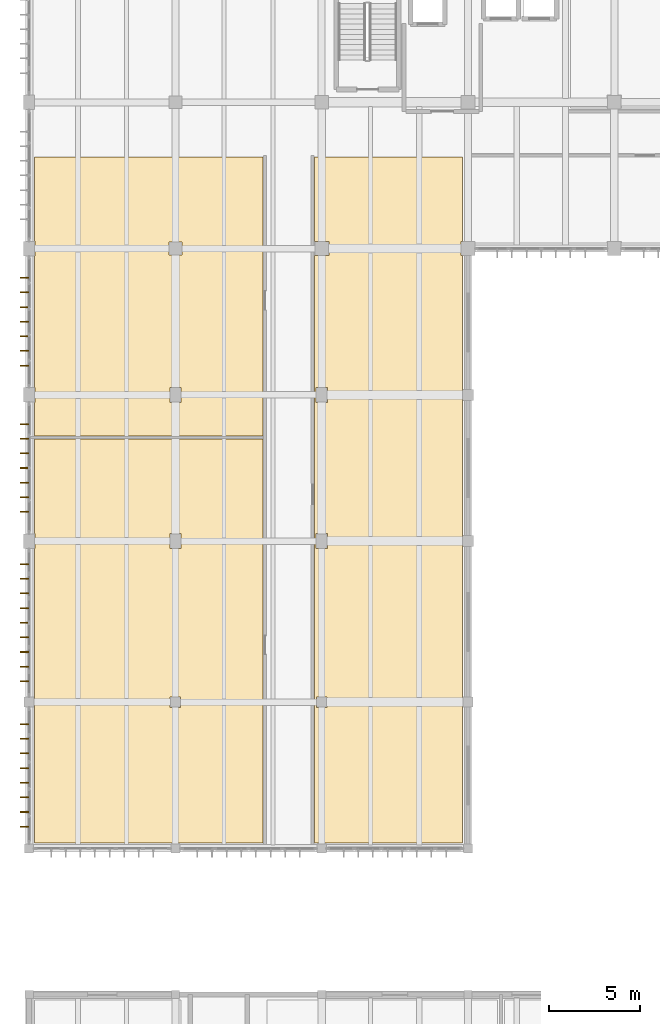
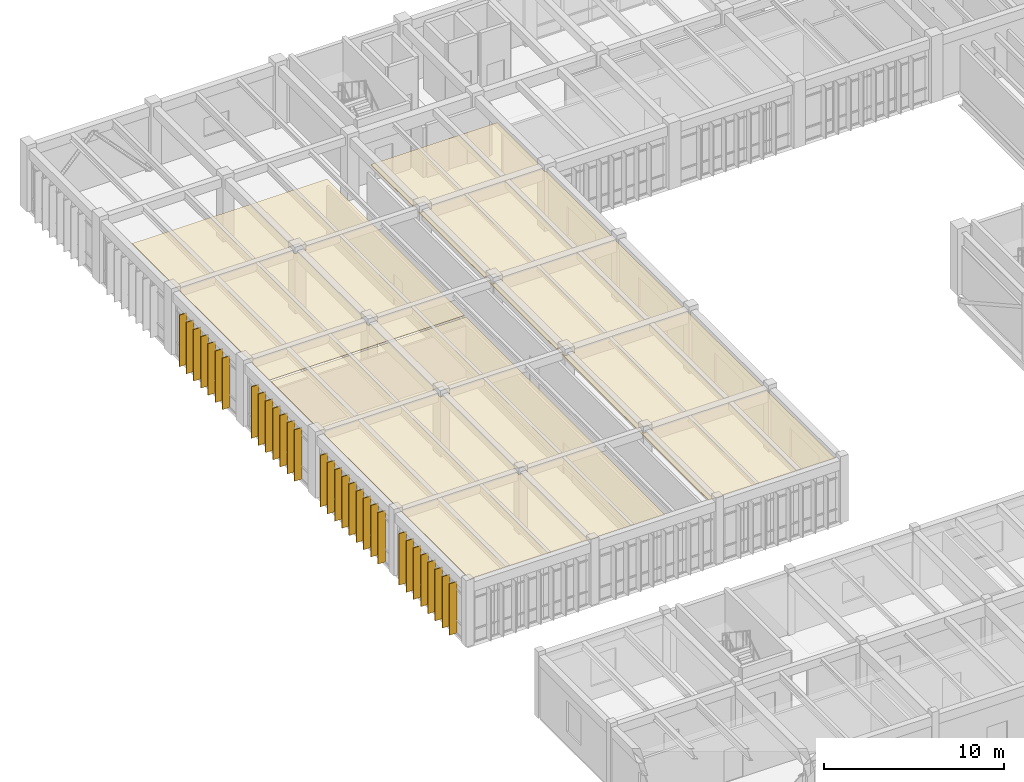
# One storey, part 67 of 79: 31 shading devices, 3 coverings.
"""IFC4 building model written with IfcOpenShell, lengths in metres."""

import ifcopenshell
import ifcopenshell.guid

model = None  # the IFC model being written
_history = None  # IfcOwnerHistory: only IFC2X3 demands one
_inside = {}  # id of a spatial element -> (the spatial element, [elements in it])
_under = {}  # id of a project, library or spatial element -> (it, [spatial elements below it])
_declared = {}  # id of a project -> (the project, [libraries it declares])
_typed = {}  # id of a type object -> (the type object, [elements of that type])
_made_of = {}  # id of a material, layer set ... -> (it, [elements and type objects made of it])


def new_model(schema):
    """Start an empty IFC model of exactly this schema.

    Asked for "IFC4X3", IfcOpenShell would pick the latest addendum, in which some entities
    have other attributes; the version numbers below select the first issue.
    IFC2X3 requires an IfcOwnerHistory on every rooted entity: one is made here for all.
    """
    global model, _history
    if schema == "IFC4X3":
        model = ifcopenshell.file(schema_version=(4, 3, 0, 0))
    else:
        model = ifcopenshell.file(schema=schema)
    _inside.clear()
    _under.clear()
    _declared.clear()
    _typed.clear()
    _made_of.clear()
    _history = None
    if model.schema == "IFC2X3":
        org = make("IfcOrganization", Name="unknown")
        user = make(
            "IfcPersonAndOrganization",
            ThePerson=make("IfcPerson", FamilyName="unknown"),
            TheOrganization=org,
        )
        app = make(
            "IfcApplication",
            ApplicationDeveloper=org,
            Version="unknown",
            ApplicationFullName="unknown",
            ApplicationIdentifier="unknown",
        )
        _history = make(
            "IfcOwnerHistory",
            OwningUser=user,
            OwningApplication=app,
            ChangeAction="ADDED",
            CreationDate=0,
        )
    return model


def make(cls, **values):
    """One entity of the class cls with the attributes given. An attribute that is None is left unset."""
    return model.create_entity(
        cls, **{name: value for name, value in values.items() if value is not None}
    )


def rooted(cls, **values):
    """An entity with a GlobalId (a new one), such as an element, a storey or a relation."""
    return make(cls, GlobalId=ifcopenshell.guid.new(), OwnerHistory=_history, **values)


def si_unit(unit_type, name, prefix=None):
    """IfcSIUnit, for example si_unit("LENGTHUNIT", "METRE", prefix="MILLI")."""
    return make("IfcSIUnit", UnitType=unit_type, Prefix=prefix, Name=name)


def assignment(units):
    """IfcUnitAssignment: the units of a project."""
    return None if units is None else make("IfcUnitAssignment", Units=units)


def point(xyz):
    """IfcCartesianPoint."""
    return None if xyz is None else make("IfcCartesianPoint", Coordinates=xyz)


def direction(xyz):
    """IfcDirection."""
    return None if xyz is None else make("IfcDirection", DirectionRatios=xyz)


def frame(location, z_axis=None, x_axis=None):
    """IfcAxis2Placement3D, a coordinate frame: its origin and axes. An axis left out is left unset."""
    return make(
        "IfcAxis2Placement3D",
        Location=point(location),
        Axis=direction(z_axis),
        RefDirection=direction(x_axis),
    )


def frame_2d(location, x_axis=None):
    """IfcAxis2Placement2D, a coordinate frame in the plane: its origin and x axis."""
    return make(
        "IfcAxis2Placement2D", Location=point(location), RefDirection=direction(x_axis)
    )


def origin():
    """The frame at (0, 0, 0) with its axes left unset."""
    return frame((0.0, 0.0, 0.0))


def origin_2d():
    """The frame at (0, 0) in the plane with its x axis left unset."""
    return frame_2d((0.0, 0.0))


def place(relative_to, where):
    """IfcLocalPlacement: puts the frame where relative to a parent placement (None: the world)."""
    return make(
        "IfcLocalPlacement", PlacementRelTo=relative_to, RelativePlacement=where
    )


def context(
    kind, dimensions, precision=None, world=None, true_north=None, identifier=None
):
    """IfcGeometricRepresentationContext, for example the 3D "Model" context."""
    return make(
        "IfcGeometricRepresentationContext",
        ContextIdentifier=identifier,
        ContextType=kind,
        CoordinateSpaceDimension=dimensions,
        Precision=precision,
        WorldCoordinateSystem=world,
        TrueNorth=true_north,
    )


def subcontext(parent, identifier, kind, view, scale=None):
    """IfcGeometricRepresentationSubContext, for example "Body" below "Model"."""
    return make(
        "IfcGeometricRepresentationSubContext",
        ContextIdentifier=identifier,
        ContextType=kind,
        ParentContext=parent,
        TargetScale=scale,
        TargetView=view,
    )


def project(units=None, contexts=None):
    """IfcProject with its units and contexts."""
    return rooted(
        "IfcProject",
        Name="project",
        RepresentationContexts=contexts,
        UnitsInContext=assignment(units),
    )


def spatial(cls, under=None, at=None, **own):
    """A site, building, storey or space (cls), placed at a placement, below another one or the project."""
    s = rooted(cls, ObjectPlacement=at, **own)
    if under is not None:
        _under.setdefault(under.id(), (under, []))[1].append(s)
    return s


def polyline(points):
    """IfcPolyline through the points."""
    return make("IfcPolyline", Points=[point(p) for p in points])


def profile(cls, at=None, kind="AREA", **sizes):
    """A parametric profile (cls). Its sizes go by their IFC names, for example OverallWidth=200.0."""
    return make(cls, ProfileType=kind, Position=at, **sizes)


def rectangle(**sizes):
    """IfcRectangleProfileDef."""
    return profile("IfcRectangleProfileDef", **sizes)


def outline(outer, holes=None, kind="AREA"):
    """IfcArbitraryClosedProfileDef: a profile drawn as a closed curve; with holes, ...WithVoids."""
    if holes is None:
        return make("IfcArbitraryClosedProfileDef", ProfileType=kind, OuterCurve=outer)
    return make(
        "IfcArbitraryProfileDefWithVoids",
        ProfileType=kind,
        OuterCurve=outer,
        InnerCurves=holes,
    )


def extrude(swept, where, along, depth):
    """IfcExtrudedAreaSolid: the profile swept, set in the frame where, extruded along a direction by depth."""
    return make(
        "IfcExtrudedAreaSolid",
        SweptArea=swept,
        Position=where,
        ExtrudedDirection=direction(along),
        Depth=depth,
    )


def shape(context_of_items, identifier, shape_type, items):
    """IfcShapeRepresentation: the items that make up one representation, for example the "Body"."""
    return make(
        "IfcShapeRepresentation",
        ContextOfItems=context_of_items,
        RepresentationIdentifier=identifier,
        RepresentationType=shape_type,
        Items=items,
    )


def material(Name=None, Category=None):
    """IfcMaterial."""
    return make("IfcMaterial", Name=Name, Category=Category)


def layer(
    of_material, thickness, ventilated=None, Name=None, Category=None, Priority=None
):
    """IfcMaterialLayer: one layer of a wall or slab, of a material (None: an air gap)."""
    return make(
        "IfcMaterialLayer",
        Material=of_material,
        LayerThickness=thickness,
        IsVentilated=ventilated,
        Name=Name,
        Category=Category,
        Priority=Priority,
    )


def layer_set(layers, Name=None):
    """IfcMaterialLayerSet."""
    return make("IfcMaterialLayerSet", MaterialLayers=layers, LayerSetName=Name)


def made_of(thing, what):
    """Note that an element or type object is made of a material, layer set ...; save() writes the relation."""
    if what is not None:
        _made_of.setdefault(what.id(), (what, []))[1].append(thing)
    return thing


def type_object(cls, material=None, **own):
    """A type object (cls), such as IfcWallType, which elements share."""
    return made_of(rooted(cls, **own), material)


def element(
    cls,
    number,
    at=None,
    inside=None,
    cuts=None,
    type_object=None,
    material=None,
    context=None,
    identifier="Body",
    shape_type=None,
    held_by="IfcProductDefinitionShape",
    body=None,
    shapes=None,
    **own,
):
    """One element of the class cls, such as IfcWall. Its Tag is "e" and its number.

    at: its placement. inside: the storey or other place that contains it. cuts: it is an
    opening in that element (IfcRelVoidsElement). A single representation is given by context,
    identifier, shape_type and body (its items); several are given by shapes. held_by: the class
    of the entity that holds the representations. save() writes the other relations.
    """
    e = rooted(cls, Tag="e%d" % number, ObjectPlacement=at, **own)
    if body is not None:
        shapes = [shape(context, identifier, shape_type, body)]
    if shapes is not None:
        e.Representation = make(held_by, Representations=shapes)
    if inside is not None:
        _inside.setdefault(inside.id(), (inside, []))[1].append(e)
    if cuts is not None:
        rooted(
            "IfcRelVoidsElement", RelatingBuildingElement=cuts, RelatedOpeningElement=e
        )
    if type_object is not None:
        _typed.setdefault(type_object.id(), (type_object, []))[1].append(e)
    return made_of(e, material)


def aggregate(whole, parts):
    """IfcRelAggregates: a whole, such as a stair, and the parts it consists of."""
    return rooted("IfcRelAggregates", RelatingObject=whole, RelatedObjects=parts)


def save(model, path):
    """Write the relations noted so far, then the file.

    IfcRelAggregates (storeys below a building ...), IfcRelContainedInSpatialStructure (elements
    in a storey), IfcRelDefinesByType, IfcRelAssociatesMaterial and IfcRelDeclares: one each for
    every whole, place, type object, material and project.
    """
    for whole, parts in _under.values():
        aggregate(whole, parts)
    for where, things in _inside.values():
        rooted(
            "IfcRelContainedInSpatialStructure",
            RelatedElements=things,
            RelatingStructure=where,
        )
    for kind, things in _typed.values():
        rooted("IfcRelDefinesByType", RelatedObjects=things, RelatingType=kind)
    for what, things in _made_of.values():
        rooted("IfcRelAssociatesMaterial", RelatedObjects=things, RelatingMaterial=what)
    for by, libraries in _declared.values():
        rooted("IfcRelDeclares", RelatingContext=by, RelatedDefinitions=libraries)
    model.write(path)


model = new_model("IFC4")

# Units and contexts
model_context = context("Model", 3, precision=1e-05, world=origin(), true_north=direction((0.0, 1.0)))
body_context = subcontext(model_context, "Body", "Model", "MODEL_VIEW")
ifc_project = project(units=[si_unit("LENGTHUNIT", "METRE"), si_unit("AREAUNIT", "SQUARE_METRE"), si_unit("VOLUMEUNIT", "CUBIC_METRE"), si_unit("PLANEANGLEUNIT", "RADIAN"), si_unit("MASSUNIT", "GRAM", prefix="KILO")], contexts=[model_context])

# Site, building, storey
site_placement = place(None, origin())
site = spatial("IfcSite", under=ifc_project, at=site_placement, CompositionType="ELEMENT")
building_placement = place(site_placement, origin())
building = spatial("IfcBuilding", under=site, at=building_placement, Name="Tlaxcora Railside Police Headquarters", CompositionType="ELEMENT")
storey_placement = place(building_placement, frame((0.0, 0.0, 9.0)))
storey = spatial("IfcBuildingStorey", under=building, at=storey_placement, Name="L02", CompositionType="ELEMENT", Elevation=9.0)

# Coverings
ifc_material_1 = material(Name="Mineral-fibre acoustic ceiling tile")
ifc_layer_1 = layer(ifc_material_1, 0.034912109375, Name="Mineral-fibre acoustic ceiling tile")
ifc_layer_set_1 = layer_set([ifc_layer_1], Name="Mineral-fibre acoustic ceiling tile")
covering_type = type_object("IfcCoveringType", Name="Acoustic Suspended Ceiling CLG-01", PredefinedType="CEILING", material=ifc_layer_set_1)
covering_1_placement = place(storey_placement, frame((0.0, 0.0, 4.06494140625)))
element("IfcCovering", 1, at=covering_1_placement, inside=storey, type_object=covering_type, Name="Robbery and Burglary Taskforce suspended ceiling", PredefinedType="CEILING", context=body_context, shape_type="SweptSolid", body=[
    extrude(outline(polyline([(5.5, 44.300048828125), (18.0, 44.300048828125), (18.0, 66.37890625), (5.5, 66.37890625), (5.5, 61.2099609375), (5.510009765625, 61.2099609375), (5.510009765625, 60.389892578125), (5.5, 60.389892578125), (5.5, 44.300048828125)]), holes=[polyline([(13.485107421875, 52.284912109375), (13.485107421875, 51.715087890625), (12.9150390625, 51.715087890625), (12.9150390625, 52.284912109375), (13.485107421875, 52.284912109375)]), polyline([(13.510009765625, 60.389892578125), (12.889892578125, 60.389892578125), (12.889892578125, 61.2099609375), (13.510009765625, 61.2099609375), (13.510009765625, 60.389892578125)])]), origin(), (0.0, 0.0, 1.0), 0.03515625),
])
covering_2_placement = place(storey_placement, frame((0.0, 0.0, 4.06494140625)))
element("IfcCovering", 2, at=covering_2_placement, inside=storey, type_object=covering_type, Name="Detective Quiet Study and Pantry suspended ceiling", PredefinedType="CEILING", context=body_context, shape_type="SweptSolid", body=[
    extrude(outline(polyline([(5.5, 68.389892578125), (5.5, 66.5390625), (18.0, 66.5390625), (18.0, 81.800048828125), (5.5, 81.800048828125), (5.5, 77.2099609375), (5.510009765625, 77.2099609375), (5.510009765625, 76.389892578125), (5.5, 76.389892578125), (5.5, 69.2099609375), (5.510009765625, 69.2099609375), (5.510009765625, 68.389892578125), (5.5, 68.389892578125)]), holes=[polyline([(13.510009765625, 69.2099609375), (13.510009765625, 68.389892578125), (12.889892578125, 68.389892578125), (12.889892578125, 69.2099609375), (13.510009765625, 69.2099609375)]), polyline([(13.56005859375, 76.43994140625), (12.840087890625, 76.43994140625), (12.840087890625, 77.159912109375), (13.56005859375, 77.159912109375), (13.56005859375, 76.43994140625)])]), origin(), (0.0, 0.0, 1.0), 0.03515625),
])
covering_3_placement = place(storey_placement, frame((0.0, 0.0, 4.06494140625)))
element("IfcCovering", 3, at=covering_3_placement, inside=storey, type_object=covering_type, Name="Court-Side Case Team Room L02 suspended ceiling", PredefinedType="CEILING", context=body_context, shape_type="SweptSolid", body=[
    extrude(outline(polyline([(28.889892578125, 61.110107421875), (28.89990234375, 61.110107421875), (28.89990234375, 68.489990234375), (28.889892578125, 68.489990234375), (28.889892578125, 69.110107421875), (28.89990234375, 69.110107421875), (28.89990234375, 76.4150390625), (28.81494140625, 76.4150390625), (28.81494140625, 77.18505859375), (28.89990234375, 77.18505859375), (28.89990234375, 81.800048828125), (20.800048828125, 81.800048828125), (20.800048828125, 44.300048828125), (28.89990234375, 44.300048828125), (28.89990234375, 60.489990234375), (28.889892578125, 60.489990234375), (28.889892578125, 61.110107421875)]), holes=[polyline([(20.9150390625, 52.284912109375), (21.485107421875, 52.284912109375), (21.485107421875, 51.715087890625), (20.9150390625, 51.715087890625), (20.9150390625, 52.284912109375)]), polyline([(21.510009765625, 61.2099609375), (21.510009765625, 60.389892578125), (20.889892578125, 60.389892578125), (20.889892578125, 61.2099609375), (21.510009765625, 61.2099609375)]), polyline([(21.510009765625, 68.389892578125), (20.889892578125, 68.389892578125), (20.889892578125, 69.2099609375), (21.510009765625, 69.2099609375), (21.510009765625, 68.389892578125)]), polyline([(20.81494140625, 76.4150390625), (20.81494140625, 77.18505859375), (21.5849609375, 77.18505859375), (21.5849609375, 76.4150390625), (20.81494140625, 76.4150390625)])]), origin(), (0.0, 0.0, 1.0), 0.03515625),
])

# Shading devices
ifc_material_2 = material(Name="Anodised aluminium framing", Category="aluminium")
ifc_layer_2 = layer(ifc_material_2, 0.054931640625, Name="Anodised aluminium framing")
ifc_layer_set_2 = layer_set([ifc_layer_2], Name="Anodised aluminium framing")
shading_device_type = type_object("IfcShadingDeviceType", Name="Solar Control Fin SF-01", PredefinedType="JALOUSIE", material=ifc_layer_set_2)
for number, where, z_axis, x_axis, name in (
    (4, (4.93994140625, 75.199951171875, 0.0400390625), (0.0, 0.0, 1.0), (-1.0, 0.0, 0.0), "Vertical solar fin 236"),
    (5, (4.93994140625, 74.39990234375, 0.0400390625), (0.0, 0.0, 1.0), (-1.0, 0.0, 0.0), "Vertical solar fin 237"),
    (6, (4.93994140625, 73.60009765625, 0.0400390625), (0.0, 0.0, 1.0), (-1.0, 0.0, 0.0), "Vertical solar fin 238"),
    (7, (4.93994140625, 72.800048828125, 0.0400390625), (0.0, 0.0, 1.0), (-1.0, 0.0, 0.0), "Vertical solar fin 239"),
    (8, (4.93994140625, 72.0, 0.0400390625), (0.0, 0.0, 1.0), (-1.0, 0.0, 0.0), "Vertical solar fin 240"),
    (9, (4.93994140625, 71.199951171875, 0.0400390625), (0.0, 0.0, 1.0), (-1.0, 0.0, 0.0), "Vertical solar fin 241"),
    (10, (4.93994140625, 70.39990234375, 0.0400390625), (0.0, 0.0, 1.0), (-1.0, 0.0, 0.0), "Vertical solar fin 242"),
    (11, (4.93994140625, 67.199951171875, 0.0400390625), (0.0, 0.0, 1.0), (-1.0, 0.0, 0.0), "Vertical solar fin 243"),
    (12, (4.93994140625, 66.39990234375, 0.0400390625), (0.0, 0.0, 1.0), (-1.0, 0.0, 0.0), "Vertical solar fin 244"),
    (13, (4.93994140625, 65.60009765625, 0.0400390625), (0.0, 0.0, 1.0), (-1.0, 0.0, 0.0), "Vertical solar fin 245"),
    (14, (4.93994140625, 64.800048828125, 0.0400390625), (0.0, 0.0, 1.0), (-1.0, 0.0, 0.0), "Vertical solar fin 246"),
    (15, (4.93994140625, 64.0, 0.0400390625), (0.0, 0.0, 1.0), (-1.0, 0.0, 0.0), "Vertical solar fin 247"),
    (16, (4.93994140625, 63.199951171875, 0.0400390625), (0.0, 0.0, 1.0), (-1.0, 0.0, 0.0), "Vertical solar fin 248"),
    (17, (4.93994140625, 62.39990234375, 0.0400390625), (0.0, 0.0, 1.0), (-1.0, 0.0, 0.0), "Vertical solar fin 249"),
    (18, (4.93994140625, 59.53759765625, 0.0400390625), (0.0, 0.0, 1.0), (-1.0, 0.0, 0.0), "Vertical solar fin 250"),
    (19, (4.93994140625, 58.737548828125, 0.0400390625), (0.0, 0.0, 1.0), (-1.0, 0.0, 0.0), "Vertical solar fin 251"),
    (20, (4.93994140625, 57.9375, 0.0400390625), (0.0, 0.0, 1.0), (-1.0, 0.0, 0.0), "Vertical solar fin 252"),
    (21, (4.93994140625, 57.137451171875, 0.0400390625), (0.0, 0.0, 1.0), (-1.0, 0.0, 0.0), "Vertical solar fin 253"),
    (22, (4.93994140625, 56.33740234375, 0.0400390625), (0.0, 0.0, 1.0), (-1.0, 0.0, 0.0), "Vertical solar fin 254"),
    (23, (4.93994140625, 55.53759765625, 0.0400390625), (0.0, 0.0, 1.0), (-1.0, 0.0, 0.0), "Vertical solar fin 255"),
    (24, (4.93994140625, 54.737548828125, 0.0400390625), (0.0, 0.0, 1.0), (-1.0, 0.0, 0.0), "Vertical solar fin 256"),
    (25, (4.93994140625, 53.9375, 0.0400390625), (0.0, 0.0, 1.0), (-1.0, 0.0, 0.0), "Vertical solar fin 257"),
    (26, (4.93994140625, 53.137451171875, 0.0400390625), (0.0, 0.0, 1.0), (-1.0, 0.0, 0.0), "Vertical solar fin 258"),
    (27, (4.93994140625, 50.78759765625, 0.0400390625), (0.0, 0.0, 1.0), (-1.0, 0.0, 0.0), "Vertical solar fin 259"),
    (28, (4.93994140625, 49.987548828125, 0.0400390625), (0.0, 0.0, 1.0), (-1.0, 0.0, 0.0), "Vertical solar fin 260"),
    (29, (4.93994140625, 49.1875, 0.0400390625), (0.0, 0.0, 1.0), (-1.0, 0.0, 0.0), "Vertical solar fin 261"),
    (30, (4.93994140625, 48.387451171875, 0.0400390625), (0.0, 0.0, 1.0), (-1.0, 0.0, 0.0), "Vertical solar fin 262"),
    (31, (4.93994140625, 47.58740234375, 0.0400390625), (0.0, 0.0, 1.0), (-1.0, 0.0, 0.0), "Vertical solar fin 263"),
    (32, (4.93994140625, 46.78759765625, 0.0400390625), (0.0, 0.0, 1.0), (-1.0, 0.0, 0.0), "Vertical solar fin 264"),
    (33, (4.93994140625, 45.987548828125, 0.0400390625), (0.0, 0.0, 1.0), (-1.0, 0.0, 0.0), "Vertical solar fin 265"),
    (34, (4.93994140625, 45.1875, 0.0400390625), (0.0, 0.0, 1.0), (-1.0, 0.0, 0.0), "Vertical solar fin 266"),
):
    element("IfcShadingDevice", number, at=place(storey_placement, frame(where, z_axis=z_axis, x_axis=x_axis)), inside=storey, type_object=shading_device_type, Name=name, PredefinedType="JALOUSIE", context=body_context, shape_type="SweptSolid", body=[
        extrude(rectangle(XDim=0.47998046875, YDim=0.054931640625, at=origin_2d()), origin(), (0.0, 0.0, 1.0), 3.489990234375),
    ])

save(model, "model.ifc")
